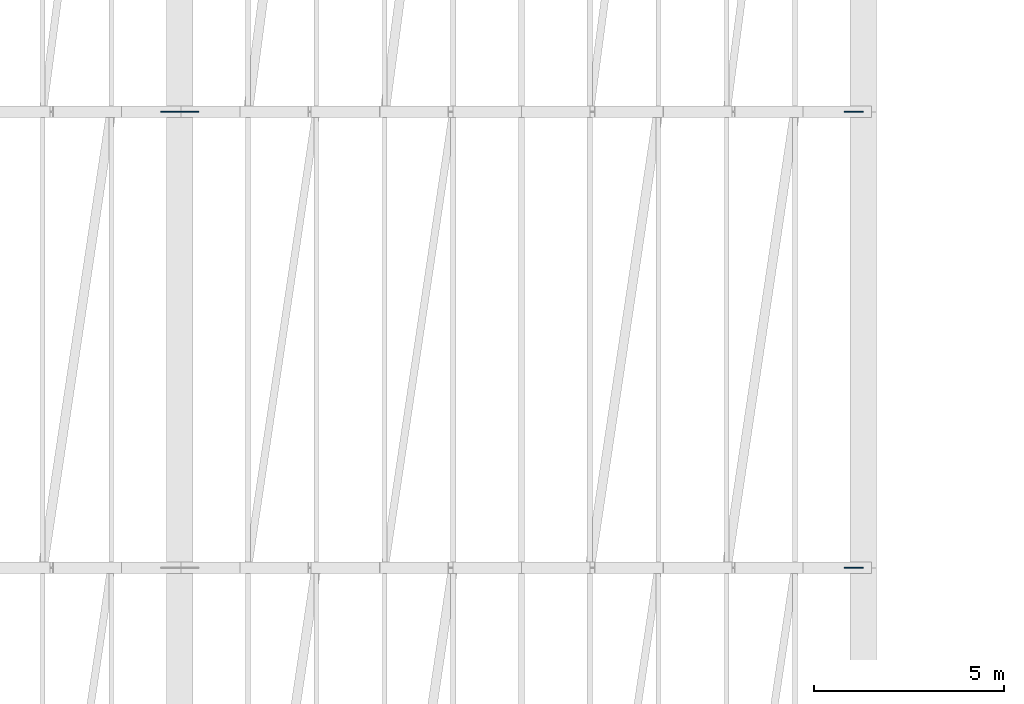
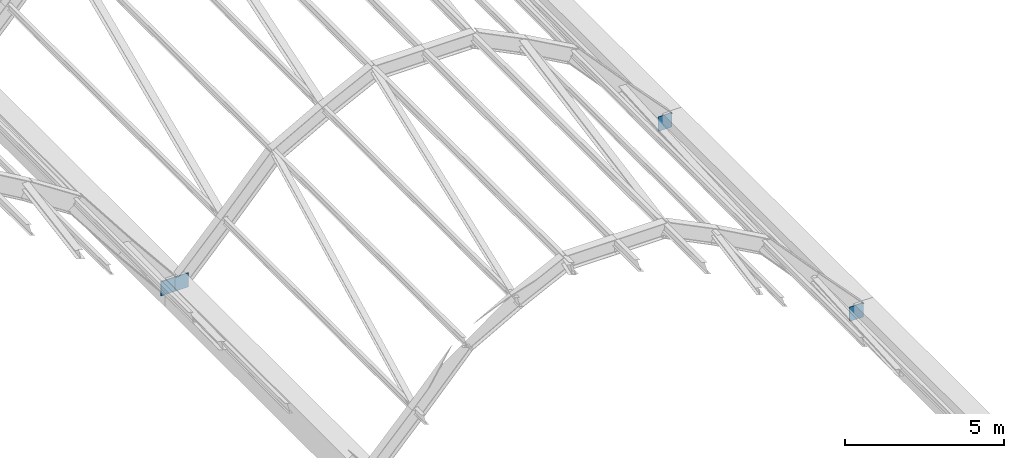
# One storey, part 68 of 86: 4 plates.
"""IFC4 building model written with IfcOpenShell, lengths in metres."""

import ifcopenshell
import ifcopenshell.guid

model = None  # the IFC model being written
_history = None  # IfcOwnerHistory: only IFC2X3 demands one
_inside = {}  # id of a spatial element -> (the spatial element, [elements in it])
_under = {}  # id of a project, library or spatial element -> (it, [spatial elements below it])
_declared = {}  # id of a project -> (the project, [libraries it declares])
_typed = {}  # id of a type object -> (the type object, [elements of that type])
_made_of = {}  # id of a material, layer set ... -> (it, [elements and type objects made of it])


def new_model(schema):
    """Start an empty IFC model of exactly this schema.

    Asked for "IFC4X3", IfcOpenShell would pick the latest addendum, in which some entities
    have other attributes; the version numbers below select the first issue.
    IFC2X3 requires an IfcOwnerHistory on every rooted entity: one is made here for all.
    """
    global model, _history
    if schema == "IFC4X3":
        model = ifcopenshell.file(schema_version=(4, 3, 0, 0))
    else:
        model = ifcopenshell.file(schema=schema)
    _inside.clear()
    _under.clear()
    _declared.clear()
    _typed.clear()
    _made_of.clear()
    _history = None
    if model.schema == "IFC2X3":
        org = make("IfcOrganization", Name="unknown")
        user = make(
            "IfcPersonAndOrganization",
            ThePerson=make("IfcPerson", FamilyName="unknown"),
            TheOrganization=org,
        )
        app = make(
            "IfcApplication",
            ApplicationDeveloper=org,
            Version="unknown",
            ApplicationFullName="unknown",
            ApplicationIdentifier="unknown",
        )
        _history = make(
            "IfcOwnerHistory",
            OwningUser=user,
            OwningApplication=app,
            ChangeAction="ADDED",
            CreationDate=0,
        )
    return model


def make(cls, **values):
    """One entity of the class cls with the attributes given. An attribute that is None is left unset."""
    return model.create_entity(
        cls, **{name: value for name, value in values.items() if value is not None}
    )


def rooted(cls, **values):
    """An entity with a GlobalId (a new one), such as an element, a storey or a relation."""
    return make(cls, GlobalId=ifcopenshell.guid.new(), OwnerHistory=_history, **values)


def si_unit(unit_type, name, prefix=None):
    """IfcSIUnit, for example si_unit("LENGTHUNIT", "METRE", prefix="MILLI")."""
    return make("IfcSIUnit", UnitType=unit_type, Prefix=prefix, Name=name)


def assignment(units):
    """IfcUnitAssignment: the units of a project."""
    return None if units is None else make("IfcUnitAssignment", Units=units)


def point(xyz):
    """IfcCartesianPoint."""
    return None if xyz is None else make("IfcCartesianPoint", Coordinates=xyz)


def direction(xyz):
    """IfcDirection."""
    return None if xyz is None else make("IfcDirection", DirectionRatios=xyz)


def frame(location, z_axis=None, x_axis=None):
    """IfcAxis2Placement3D, a coordinate frame: its origin and axes. An axis left out is left unset."""
    return make(
        "IfcAxis2Placement3D",
        Location=point(location),
        Axis=direction(z_axis),
        RefDirection=direction(x_axis),
    )


def frame_2d(location, x_axis=None):
    """IfcAxis2Placement2D, a coordinate frame in the plane: its origin and x axis."""
    return make(
        "IfcAxis2Placement2D", Location=point(location), RefDirection=direction(x_axis)
    )


def origin():
    """The frame at (0, 0, 0) with its axes left unset."""
    return frame((0.0, 0.0, 0.0))


def origin_2d():
    """The frame at (0, 0) in the plane with its x axis left unset."""
    return frame_2d((0.0, 0.0))


def place(relative_to, where):
    """IfcLocalPlacement: puts the frame where relative to a parent placement (None: the world)."""
    return make(
        "IfcLocalPlacement", PlacementRelTo=relative_to, RelativePlacement=where
    )


def context(
    kind, dimensions, precision=None, world=None, true_north=None, identifier=None
):
    """IfcGeometricRepresentationContext, for example the 3D "Model" context."""
    return make(
        "IfcGeometricRepresentationContext",
        ContextIdentifier=identifier,
        ContextType=kind,
        CoordinateSpaceDimension=dimensions,
        Precision=precision,
        WorldCoordinateSystem=world,
        TrueNorth=true_north,
    )


def subcontext(parent, identifier, kind, view, scale=None):
    """IfcGeometricRepresentationSubContext, for example "Body" below "Model"."""
    return make(
        "IfcGeometricRepresentationSubContext",
        ContextIdentifier=identifier,
        ContextType=kind,
        ParentContext=parent,
        TargetScale=scale,
        TargetView=view,
    )


def project(units=None, contexts=None):
    """IfcProject with its units and contexts."""
    return rooted(
        "IfcProject",
        Name="project",
        RepresentationContexts=contexts,
        UnitsInContext=assignment(units),
    )


def spatial(cls, under=None, at=None, **own):
    """A site, building, storey or space (cls), placed at a placement, below another one or the project."""
    s = rooted(cls, ObjectPlacement=at, **own)
    if under is not None:
        _under.setdefault(under.id(), (under, []))[1].append(s)
    return s


def profile(cls, at=None, kind="AREA", **sizes):
    """A parametric profile (cls). Its sizes go by their IFC names, for example OverallWidth=200.0."""
    return make(cls, ProfileType=kind, Position=at, **sizes)


def rectangle(**sizes):
    """IfcRectangleProfileDef."""
    return profile("IfcRectangleProfileDef", **sizes)


def extrude(swept, where, along, depth):
    """IfcExtrudedAreaSolid: the profile swept, set in the frame where, extruded along a direction by depth."""
    return make(
        "IfcExtrudedAreaSolid",
        SweptArea=swept,
        Position=where,
        ExtrudedDirection=direction(along),
        Depth=depth,
    )


def shape(context_of_items, identifier, shape_type, items):
    """IfcShapeRepresentation: the items that make up one representation, for example the "Body"."""
    return make(
        "IfcShapeRepresentation",
        ContextOfItems=context_of_items,
        RepresentationIdentifier=identifier,
        RepresentationType=shape_type,
        Items=items,
    )


def material(Name=None, Category=None):
    """IfcMaterial."""
    return make("IfcMaterial", Name=Name, Category=Category)


def layer(
    of_material, thickness, ventilated=None, Name=None, Category=None, Priority=None
):
    """IfcMaterialLayer: one layer of a wall or slab, of a material (None: an air gap)."""
    return make(
        "IfcMaterialLayer",
        Material=of_material,
        LayerThickness=thickness,
        IsVentilated=ventilated,
        Name=Name,
        Category=Category,
        Priority=Priority,
    )


def layer_set(layers, Name=None):
    """IfcMaterialLayerSet."""
    return make("IfcMaterialLayerSet", MaterialLayers=layers, LayerSetName=Name)


def made_of(thing, what):
    """Note that an element or type object is made of a material, layer set ...; save() writes the relation."""
    if what is not None:
        _made_of.setdefault(what.id(), (what, []))[1].append(thing)
    return thing


def type_object(cls, material=None, **own):
    """A type object (cls), such as IfcWallType, which elements share."""
    return made_of(rooted(cls, **own), material)


def element(
    cls,
    number,
    at=None,
    inside=None,
    cuts=None,
    type_object=None,
    material=None,
    context=None,
    identifier="Body",
    shape_type=None,
    held_by="IfcProductDefinitionShape",
    body=None,
    shapes=None,
    **own,
):
    """One element of the class cls, such as IfcWall. Its Tag is "e" and its number.

    at: its placement. inside: the storey or other place that contains it. cuts: it is an
    opening in that element (IfcRelVoidsElement). A single representation is given by context,
    identifier, shape_type and body (its items); several are given by shapes. held_by: the class
    of the entity that holds the representations. save() writes the other relations.
    """
    e = rooted(cls, Tag="e%d" % number, ObjectPlacement=at, **own)
    if body is not None:
        shapes = [shape(context, identifier, shape_type, body)]
    if shapes is not None:
        e.Representation = make(held_by, Representations=shapes)
    if inside is not None:
        _inside.setdefault(inside.id(), (inside, []))[1].append(e)
    if cuts is not None:
        rooted(
            "IfcRelVoidsElement", RelatingBuildingElement=cuts, RelatedOpeningElement=e
        )
    if type_object is not None:
        _typed.setdefault(type_object.id(), (type_object, []))[1].append(e)
    return made_of(e, material)


def aggregate(whole, parts):
    """IfcRelAggregates: a whole, such as a stair, and the parts it consists of."""
    return rooted("IfcRelAggregates", RelatingObject=whole, RelatedObjects=parts)


def save(model, path):
    """Write the relations noted so far, then the file.

    IfcRelAggregates (storeys below a building ...), IfcRelContainedInSpatialStructure (elements
    in a storey), IfcRelDefinesByType, IfcRelAssociatesMaterial and IfcRelDeclares: one each for
    every whole, place, type object, material and project.
    """
    for whole, parts in _under.values():
        aggregate(whole, parts)
    for where, things in _inside.values():
        rooted(
            "IfcRelContainedInSpatialStructure",
            RelatedElements=things,
            RelatingStructure=where,
        )
    for kind, things in _typed.values():
        rooted("IfcRelDefinesByType", RelatedObjects=things, RelatingType=kind)
    for what, things in _made_of.values():
        rooted("IfcRelAssociatesMaterial", RelatedObjects=things, RelatingMaterial=what)
    for by, libraries in _declared.values():
        rooted("IfcRelDeclares", RelatingContext=by, RelatedDefinitions=libraries)
    model.write(path)


model = new_model("IFC4")

# Units and contexts
model_context = context("Model", 3, precision=1e-05, world=origin(), true_north=direction((0.0, 1.0)))
body_context = subcontext(model_context, "Body", "Model", "MODEL_VIEW")
ifc_project = project(units=[si_unit("LENGTHUNIT", "METRE"), si_unit("AREAUNIT", "SQUARE_METRE"), si_unit("VOLUMEUNIT", "CUBIC_METRE"), si_unit("PLANEANGLEUNIT", "RADIAN"), si_unit("MASSUNIT", "GRAM", prefix="KILO")], contexts=[model_context])

# Site, building, storey
site_placement = place(None, origin())
site = spatial("IfcSite", under=ifc_project, at=site_placement, CompositionType="ELEMENT")
building_placement = place(site_placement, origin())
building = spatial("IfcBuilding", under=site, at=building_placement, Name="Chuanluo Vaults Station", CompositionType="ELEMENT")
storey_placement = place(building_placement, frame((0.0, 0.0, 14.39990234375)))
storey = spatial("IfcBuildingStorey", under=building, at=storey_placement, Name="L03", CompositionType="ELEMENT", Elevation=14.39990234375)

# Plates
ifc_material = material(Name="Steel Q390C", Category="steel")
ifc_layer = layer(ifc_material, 0.028076171875)
ifc_layer_set = layer_set([ifc_layer], Name="Steel Q390C")
plate_type = type_object("IfcPlateType", Name="PLT-GUS-28", PredefinedType="USERDEFINED", material=ifc_layer_set)
for number, where, z_axis, x_axis, name in (
    (1, (107.75, 54.0, -0.875), (0.0, 0.0, 1.0), (1.0, 0.0, 0.0), "Vault V6 skewback node plate 4-E"),
    (2, (125.75, 42.0, -0.875), (0.0, 0.0, 1.0), (1.0, 0.0, 0.0), "Vault V7 skewback node plate 3-E"),
    (3, (108.25, 54.0, -0.875), (0.0, 0.0, 1.0), (1.0, 0.0, 0.0), "Vault V7 skewback node plate 4-W"),
    (4, (125.75, 54.0, -0.875), (0.0, 0.0, 1.0), (1.0, 0.0, 0.0), "Vault V7 skewback node plate 4-E"),
):
    element("IfcPlate", number, at=place(storey_placement, frame(where, z_axis=z_axis, x_axis=x_axis)), inside=storey, type_object=plate_type, Name=name, ObjectType="GUSSET_PLATE", PredefinedType="USERDEFINED", context=body_context, shape_type="SweptSolid", body=[
        extrude(rectangle(XDim=0.5, YDim=0.028076171875, at=origin_2d()), origin(), (0.0, 0.0, 1.0), 0.550048828125),
    ])

save(model, "model.ifc")
